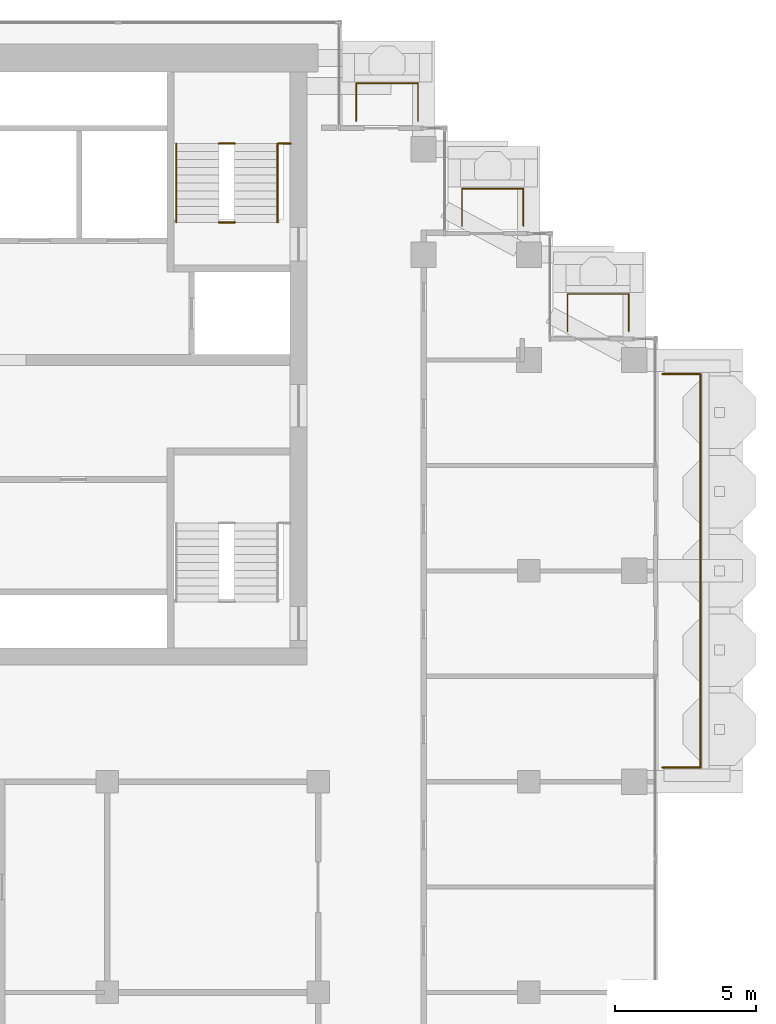
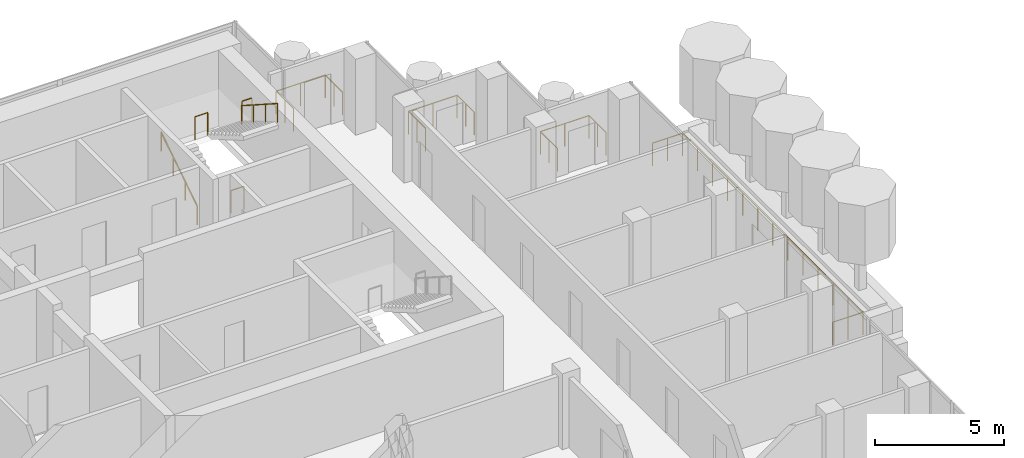
# One storey, part 18 of 19: 9 railings.
"""IFC4 building model written with IfcOpenShell, lengths in metres."""

import ifcopenshell
import ifcopenshell.guid

model = None  # the IFC model being written
_history = None  # IfcOwnerHistory: only IFC2X3 demands one
_inside = {}  # id of a spatial element -> (the spatial element, [elements in it])
_under = {}  # id of a project, library or spatial element -> (it, [spatial elements below it])
_declared = {}  # id of a project -> (the project, [libraries it declares])
_typed = {}  # id of a type object -> (the type object, [elements of that type])
_made_of = {}  # id of a material, layer set ... -> (it, [elements and type objects made of it])


def new_model(schema):
    """Start an empty IFC model of exactly this schema.

    Asked for "IFC4X3", IfcOpenShell would pick the latest addendum, in which some entities
    have other attributes; the version numbers below select the first issue.
    IFC2X3 requires an IfcOwnerHistory on every rooted entity: one is made here for all.
    """
    global model, _history
    if schema == "IFC4X3":
        model = ifcopenshell.file(schema_version=(4, 3, 0, 0))
    else:
        model = ifcopenshell.file(schema=schema)
    _inside.clear()
    _under.clear()
    _declared.clear()
    _typed.clear()
    _made_of.clear()
    _history = None
    if model.schema == "IFC2X3":
        org = make("IfcOrganization", Name="unknown")
        user = make(
            "IfcPersonAndOrganization",
            ThePerson=make("IfcPerson", FamilyName="unknown"),
            TheOrganization=org,
        )
        app = make(
            "IfcApplication",
            ApplicationDeveloper=org,
            Version="unknown",
            ApplicationFullName="unknown",
            ApplicationIdentifier="unknown",
        )
        _history = make(
            "IfcOwnerHistory",
            OwningUser=user,
            OwningApplication=app,
            ChangeAction="ADDED",
            CreationDate=0,
        )
    return model


def make(cls, **values):
    """One entity of the class cls with the attributes given. An attribute that is None is left unset."""
    return model.create_entity(
        cls, **{name: value for name, value in values.items() if value is not None}
    )


def rooted(cls, **values):
    """An entity with a GlobalId (a new one), such as an element, a storey or a relation."""
    return make(cls, GlobalId=ifcopenshell.guid.new(), OwnerHistory=_history, **values)


def si_unit(unit_type, name, prefix=None):
    """IfcSIUnit, for example si_unit("LENGTHUNIT", "METRE", prefix="MILLI")."""
    return make("IfcSIUnit", UnitType=unit_type, Prefix=prefix, Name=name)


def assignment(units):
    """IfcUnitAssignment: the units of a project."""
    return None if units is None else make("IfcUnitAssignment", Units=units)


def point(xyz):
    """IfcCartesianPoint."""
    return None if xyz is None else make("IfcCartesianPoint", Coordinates=xyz)


def direction(xyz):
    """IfcDirection."""
    return None if xyz is None else make("IfcDirection", DirectionRatios=xyz)


def frame(location, z_axis=None, x_axis=None):
    """IfcAxis2Placement3D, a coordinate frame: its origin and axes. An axis left out is left unset."""
    return make(
        "IfcAxis2Placement3D",
        Location=point(location),
        Axis=direction(z_axis),
        RefDirection=direction(x_axis),
    )


def frame_2d(location, x_axis=None):
    """IfcAxis2Placement2D, a coordinate frame in the plane: its origin and x axis."""
    return make(
        "IfcAxis2Placement2D", Location=point(location), RefDirection=direction(x_axis)
    )


def origin():
    """The frame at (0, 0, 0) with its axes left unset."""
    return frame((0.0, 0.0, 0.0))


def origin_2d():
    """The frame at (0, 0) in the plane with its x axis left unset."""
    return frame_2d((0.0, 0.0))


def place(relative_to, where):
    """IfcLocalPlacement: puts the frame where relative to a parent placement (None: the world)."""
    return make(
        "IfcLocalPlacement", PlacementRelTo=relative_to, RelativePlacement=where
    )


def context(
    kind, dimensions, precision=None, world=None, true_north=None, identifier=None
):
    """IfcGeometricRepresentationContext, for example the 3D "Model" context."""
    return make(
        "IfcGeometricRepresentationContext",
        ContextIdentifier=identifier,
        ContextType=kind,
        CoordinateSpaceDimension=dimensions,
        Precision=precision,
        WorldCoordinateSystem=world,
        TrueNorth=true_north,
    )


def subcontext(parent, identifier, kind, view, scale=None):
    """IfcGeometricRepresentationSubContext, for example "Body" below "Model"."""
    return make(
        "IfcGeometricRepresentationSubContext",
        ContextIdentifier=identifier,
        ContextType=kind,
        ParentContext=parent,
        TargetScale=scale,
        TargetView=view,
    )


def project(units=None, contexts=None):
    """IfcProject with its units and contexts."""
    return rooted(
        "IfcProject",
        Name="project",
        RepresentationContexts=contexts,
        UnitsInContext=assignment(units),
    )


def spatial(cls, under=None, at=None, **own):
    """A site, building, storey or space (cls), placed at a placement, below another one or the project."""
    s = rooted(cls, ObjectPlacement=at, **own)
    if under is not None:
        _under.setdefault(under.id(), (under, []))[1].append(s)
    return s


def profile(cls, at=None, kind="AREA", **sizes):
    """A parametric profile (cls). Its sizes go by their IFC names, for example OverallWidth=200.0."""
    return make(cls, ProfileType=kind, Position=at, **sizes)


def circle(**sizes):
    """IfcCircleProfileDef."""
    return profile("IfcCircleProfileDef", **sizes)


def extrude(swept, where, along, depth):
    """IfcExtrudedAreaSolid: the profile swept, set in the frame where, extruded along a direction by depth."""
    return make(
        "IfcExtrudedAreaSolid",
        SweptArea=swept,
        Position=where,
        ExtrudedDirection=direction(along),
        Depth=depth,
    )


def shape(context_of_items, identifier, shape_type, items):
    """IfcShapeRepresentation: the items that make up one representation, for example the "Body"."""
    return make(
        "IfcShapeRepresentation",
        ContextOfItems=context_of_items,
        RepresentationIdentifier=identifier,
        RepresentationType=shape_type,
        Items=items,
    )


def material(Name=None, Category=None):
    """IfcMaterial."""
    return make("IfcMaterial", Name=Name, Category=Category)


def made_of(thing, what):
    """Note that an element or type object is made of a material, layer set ...; save() writes the relation."""
    if what is not None:
        _made_of.setdefault(what.id(), (what, []))[1].append(thing)
    return thing


def type_object(cls, material=None, **own):
    """A type object (cls), such as IfcWallType, which elements share."""
    return made_of(rooted(cls, **own), material)


def element(
    cls,
    number,
    at=None,
    inside=None,
    cuts=None,
    type_object=None,
    material=None,
    context=None,
    identifier="Body",
    shape_type=None,
    held_by="IfcProductDefinitionShape",
    body=None,
    shapes=None,
    **own,
):
    """One element of the class cls, such as IfcWall. Its Tag is "e" and its number.

    at: its placement. inside: the storey or other place that contains it. cuts: it is an
    opening in that element (IfcRelVoidsElement). A single representation is given by context,
    identifier, shape_type and body (its items); several are given by shapes. held_by: the class
    of the entity that holds the representations. save() writes the other relations.
    """
    e = rooted(cls, Tag="e%d" % number, ObjectPlacement=at, **own)
    if body is not None:
        shapes = [shape(context, identifier, shape_type, body)]
    if shapes is not None:
        e.Representation = make(held_by, Representations=shapes)
    if inside is not None:
        _inside.setdefault(inside.id(), (inside, []))[1].append(e)
    if cuts is not None:
        rooted(
            "IfcRelVoidsElement", RelatingBuildingElement=cuts, RelatedOpeningElement=e
        )
    if type_object is not None:
        _typed.setdefault(type_object.id(), (type_object, []))[1].append(e)
    return made_of(e, material)


def aggregate(whole, parts):
    """IfcRelAggregates: a whole, such as a stair, and the parts it consists of."""
    return rooted("IfcRelAggregates", RelatingObject=whole, RelatedObjects=parts)


def save(model, path):
    """Write the relations noted so far, then the file.

    IfcRelAggregates (storeys below a building ...), IfcRelContainedInSpatialStructure (elements
    in a storey), IfcRelDefinesByType, IfcRelAssociatesMaterial and IfcRelDeclares: one each for
    every whole, place, type object, material and project.
    """
    for whole, parts in _under.values():
        aggregate(whole, parts)
    for where, things in _inside.values():
        rooted(
            "IfcRelContainedInSpatialStructure",
            RelatedElements=things,
            RelatingStructure=where,
        )
    for kind, things in _typed.values():
        rooted("IfcRelDefinesByType", RelatedObjects=things, RelatingType=kind)
    for what, things in _made_of.values():
        rooted("IfcRelAssociatesMaterial", RelatedObjects=things, RelatingMaterial=what)
    for by, libraries in _declared.values():
        rooted("IfcRelDeclares", RelatingContext=by, RelatedDefinitions=libraries)
    model.write(path)


model = new_model("IFC4")

# Units and contexts
model_context = context("Model", 3, precision=1e-05, world=origin(), true_north=direction((0.0, 1.0)))
body_context = subcontext(model_context, "Body", "Model", "MODEL_VIEW")
ifc_project = project(units=[si_unit("LENGTHUNIT", "METRE"), si_unit("AREAUNIT", "SQUARE_METRE"), si_unit("VOLUMEUNIT", "CUBIC_METRE"), si_unit("PLANEANGLEUNIT", "RADIAN"), si_unit("MASSUNIT", "GRAM", prefix="KILO")], contexts=[model_context])

# Site, building, storey
site_placement = place(None, origin())
site = spatial("IfcSite", under=ifc_project, at=site_placement, CompositionType="ELEMENT")
building_placement = place(site_placement, origin())
building = spatial("IfcBuilding", under=site, at=building_placement, Name="Pilkhan Gate Tower", CompositionType="ELEMENT")
storey_placement = place(building_placement, frame((0.0, 0.0, 246.300048828125)))
storey = spatial("IfcBuildingStorey", under=building, at=storey_placement, Name="L64", CompositionType="ELEMENT", Elevation=246.300048828125)

# Railings
ifc_material_1 = material(Name="Pale anodised aluminium posts, laminated glass infill", Category="aluminium")
railing_type_1 = type_object("IfcRailingType", Name="Balcony guard G1", PredefinedType="BALUSTRADE", material=ifc_material_1)
railing_1_placement = place(storey_placement, frame((102.25, 68.0, 0.0)))
element("IfcRailing", 1, at=railing_1_placement, inside=storey, type_object=railing_type_1, Name="Balcony guard L64 E", PredefinedType="BALUSTRADE", context=body_context, shape_type="SweptSolid", body=[
    extrude(circle(Radius=0.02392578125, at=origin_2d()), frame((0.0, 0.0, 1.076171875), z_axis=(1.0, 0.0, 0.0), x_axis=(0.0, 1.0, 0.0)), (0.0, 0.0, 1.0), 1.35009765625),
    extrude(circle(Radius=0.02392578125, at=origin_2d()), frame((1.35009765625, 0.0, 1.076171875), z_axis=(0.0, 1.0, 0.0), x_axis=(-1.0, 0.0, 0.0)), (0.0, 0.0, 1.0), 14.0),
    extrude(circle(Radius=0.02392578125, at=origin_2d()), frame((1.35009765625, 14.0, 1.076171875), z_axis=(-1.0, 0.0, 0.0), x_axis=(0.0, -1.0, 0.0)), (0.0, 0.0, 1.0), 1.35009765625),
    extrude(circle(Radius=0.02099609375, at=origin_2d()), origin(), (0.0, 0.0, 1.0), 1.052001953125),
    extrude(circle(Radius=0.02099609375, at=origin_2d()), frame((0.675048828125, 0.0, 0.0)), (0.0, 0.0, 1.0), 1.052001953125),
    extrude(circle(Radius=0.02099609375, at=origin_2d()), frame((1.35009765625, 0.0, 0.0)), (0.0, 0.0, 1.0), 1.052001953125),
    extrude(circle(Radius=0.02099609375, at=origin_2d()), frame((1.35009765625, 1.166748046875, 0.0)), (0.0, 0.0, 1.0), 1.052001953125),
    extrude(circle(Radius=0.02099609375, at=origin_2d()), frame((1.35009765625, 2.333251953125, 0.0)), (0.0, 0.0, 1.0), 1.052001953125),
    extrude(circle(Radius=0.02099609375, at=origin_2d()), frame((1.35009765625, 3.5, 0.0)), (0.0, 0.0, 1.0), 1.052001953125),
    extrude(circle(Radius=0.02099609375, at=origin_2d()), frame((1.35009765625, 4.666748046875, 0.0)), (0.0, 0.0, 1.0), 1.052001953125),
    extrude(circle(Radius=0.02099609375, at=origin_2d()), frame((1.35009765625, 5.833251953125, 0.0)), (0.0, 0.0, 1.0), 1.052001953125),
    extrude(circle(Radius=0.02099609375, at=origin_2d()), frame((1.35009765625, 7.0, 0.0)), (0.0, 0.0, 1.0), 1.052001953125),
    extrude(circle(Radius=0.02099609375, at=origin_2d()), frame((1.35009765625, 8.166748046875, 0.0)), (0.0, 0.0, 1.0), 1.052001953125),
    extrude(circle(Radius=0.02099609375, at=origin_2d()), frame((1.35009765625, 9.333251953125, 0.0)), (0.0, 0.0, 1.0), 1.052001953125),
    extrude(circle(Radius=0.02099609375, at=origin_2d()), frame((1.35009765625, 10.5, 0.0)), (0.0, 0.0, 1.0), 1.052001953125),
    extrude(circle(Radius=0.02099609375, at=origin_2d()), frame((1.35009765625, 11.666748046875, 0.0)), (0.0, 0.0, 1.0), 1.052001953125),
    extrude(circle(Radius=0.02099609375, at=origin_2d()), frame((1.35009765625, 12.833251953125, 0.0)), (0.0, 0.0, 1.0), 1.052001953125),
    extrude(circle(Radius=0.02099609375, at=origin_2d()), frame((1.35009765625, 14.0, 0.0)), (0.0, 0.0, 1.0), 1.052001953125),
    extrude(circle(Radius=0.02099609375, at=origin_2d()), frame((0.675048828125, 14.0, 0.0)), (0.0, 0.0, 1.0), 1.052001953125),
    extrude(circle(Radius=0.02099609375, at=origin_2d()), frame((0.0, 14.0, 0.0)), (0.0, 0.0, 1.0), 1.052001953125),
])
railing_2_placement = place(storey_placement, frame((91.35009765625, 91.0, 0.0)))
element("IfcRailing", 2, at=railing_2_placement, inside=storey, type_object=railing_type_1, Name="Balcony guard L64 N", PredefinedType="BALUSTRADE", context=body_context, shape_type="SweptSolid", body=[
    extrude(circle(Radius=0.02392578125, at=origin_2d()), frame((0.0, 0.0, 1.076171875), z_axis=(0.0, 1.0, 0.0), x_axis=(-1.0, 0.0, 0.0)), (0.0, 0.0, 1.0), 1.35009765625),
    extrude(circle(Radius=0.02392578125, at=origin_2d()), frame((0.0, 1.35009765625, 1.076171875), z_axis=(1.0, 0.0, 0.0), x_axis=(0.0, 1.0, 0.0)), (0.0, 0.0, 1.0), 2.199951171875),
    extrude(circle(Radius=0.02392578125, at=origin_2d()), frame((2.199951171875, 1.35009765625, 1.076171875), z_axis=(0.0, -1.0, 0.0), x_axis=(1.0, 0.0, 0.0)), (0.0, 0.0, 1.0), 1.35009765625),
    extrude(circle(Radius=0.02099609375, at=origin_2d()), origin(), (0.0, 0.0, 1.0), 1.052001953125),
    extrude(circle(Radius=0.02099609375, at=origin_2d()), frame((0.0, 0.675048828125, 0.0)), (0.0, 0.0, 1.0), 1.052001953125),
    extrude(circle(Radius=0.02099609375, at=origin_2d()), frame((0.0, 1.35009765625, 0.0)), (0.0, 0.0, 1.0), 1.052001953125),
    extrude(circle(Radius=0.02099609375, at=origin_2d()), frame((1.10009765625, 1.35009765625, 0.0)), (0.0, 0.0, 1.0), 1.052001953125),
    extrude(circle(Radius=0.02099609375, at=origin_2d()), frame((2.199951171875, 1.35009765625, 0.0)), (0.0, 0.0, 1.0), 1.052001953125),
    extrude(circle(Radius=0.02099609375, at=origin_2d()), frame((2.199951171875, 0.675048828125, 0.0)), (0.0, 0.0, 1.0), 1.052001953125),
    extrude(circle(Radius=0.02099609375, at=origin_2d()), frame((2.199951171875, 0.0, 0.0)), (0.0, 0.0, 1.0), 1.052001953125),
])
for number, where, name in (
    (3, (95.1201171875, 87.27001953125, 0.0), "Balcony guard L64 N"),
    (4, (98.8701171875, 83.52001953125, 0.0), "Balcony guard L64 N"),
):
    element("IfcRailing", number, at=place(storey_placement, frame(where)), inside=storey, type_object=railing_type_1, Name=name, PredefinedType="BALUSTRADE", context=body_context, shape_type="SweptSolid", body=[
        extrude(circle(Radius=0.02392578125, at=origin_2d()), frame((0.0, 0.0, 1.076171875), z_axis=(0.0, 1.0, 0.0), x_axis=(-1.0, 0.0, 0.0)), (0.0, 0.0, 1.0), 1.330078125),
        extrude(circle(Radius=0.02392578125, at=origin_2d()), frame((0.0, 1.330078125, 1.076171875), z_axis=(1.0, 0.0, 0.0), x_axis=(0.0, 1.0, 0.0)), (0.0, 0.0, 1.0), 2.179931640625),
        extrude(circle(Radius=0.02392578125, at=origin_2d()), frame((2.179931640625, 1.330078125, 1.076171875), z_axis=(0.0, -1.0, 0.0), x_axis=(1.0, 0.0, 0.0)), (0.0, 0.0, 1.0), 1.330078125),
        extrude(circle(Radius=0.02099609375, at=origin_2d()), origin(), (0.0, 0.0, 1.0), 1.052001953125),
        extrude(circle(Radius=0.02099609375, at=origin_2d()), frame((0.0, 0.6650390625, 0.0)), (0.0, 0.0, 1.0), 1.052001953125),
        extrude(circle(Radius=0.02099609375, at=origin_2d()), frame((0.0, 1.330078125, 0.0)), (0.0, 0.0, 1.0), 1.052001953125),
        extrude(circle(Radius=0.02099609375, at=origin_2d()), frame((1.08984375, 1.330078125, 0.0)), (0.0, 0.0, 1.0), 1.052001953125),
        extrude(circle(Radius=0.02099609375, at=origin_2d()), frame((2.179931640625, 1.330078125, 0.0)), (0.0, 0.0, 1.0), 1.052001953125),
        extrude(circle(Radius=0.02099609375, at=origin_2d()), frame((2.179931640625, 0.6650390625, 0.0)), (0.0, 0.0, 1.0), 1.052001953125),
        extrude(circle(Radius=0.02099609375, at=origin_2d()), frame((2.179931640625, 0.0, 0.0)), (0.0, 0.0, 1.0), 1.052001953125),
    ])
ifc_material_2 = material(Name="Black powder-coated steel tube", Category="steel")
railing_type_2 = type_object("IfcRailingType", Name="Stair handrail HR1", PredefinedType="HANDRAIL", material=ifc_material_2)
railing_3_placement = place(storey_placement, frame((84.949951171875, 87.39990234375, 0.0)))
element("IfcRailing", 5, at=railing_3_placement, inside=storey, type_object=railing_type_2, Name="Stair ST4 handrail L64", PredefinedType="HANDRAIL", context=body_context, shape_type="SweptSolid", body=[
    extrude(circle(Radius=0.02392578125, at=origin_2d()), frame((0.0, 0.0, 0.8759765625), z_axis=(0.0, 0.841176092368, 0.540761298198), x_axis=(-1.0, 0.0, 0.0)), (0.0, 0.0, 1.0), 3.32861328125),
    extrude(circle(Radius=0.02099609375, at=origin_2d()), origin(), (0.0, 0.0, 1.0), 0.851806640625),
    extrude(circle(Radius=0.02099609375, at=origin_2d()), frame((0.0, 0.933349609375, 0.60009765625)), (0.0, 0.0, 1.0), 0.851806640625),
    extrude(circle(Radius=0.02099609375, at=origin_2d()), frame((0.0, 1.86669921875, 1.199951171875)), (0.0, 0.0, 1.0), 0.851806640625),
    extrude(circle(Radius=0.02099609375, at=origin_2d()), frame((0.0, 2.800048828125, 1.800048828125)), (0.0, 0.0, 1.0), 0.851806640625),
])
railing_4_placement = place(storey_placement, frame((88.550048828125, 90.199951171875, 1.800048828125)))
element("IfcRailing", 6, at=railing_4_placement, inside=storey, type_object=railing_type_2, Name="Stair ST4 handrail L64", PredefinedType="HANDRAIL", context=body_context, shape_type="SweptSolid", body=[
    extrude(circle(Radius=0.02392578125, at=origin_2d()), frame((0.0, 0.0, 0.8759765625), z_axis=(0.0, -0.841209454229, 0.540709398952), x_axis=(1.0, 0.0, 0.0)), (0.0, 0.0, 1.0), 3.32861328125),
    extrude(circle(Radius=0.02099609375, at=origin_2d()), origin(), (0.0, 0.0, 1.0), 0.851806640625),
    extrude(circle(Radius=0.02099609375, at=origin_2d()), frame((0.0, -0.933349609375, 0.599853515625)), (0.0, 0.0, 1.0), 0.851806640625),
    extrude(circle(Radius=0.02099609375, at=origin_2d()), frame((0.0, -1.86669921875, 1.199951171875)), (0.0, 0.0, 1.0), 0.851806640625),
    extrude(circle(Radius=0.02099609375, at=origin_2d()), frame((0.0, -2.800048828125, 1.7998046875)), (0.0, 0.0, 1.0), 0.851806640625),
])
ifc_material_3 = material(Name="Black powder-coated steel balusters", Category="steel")
railing_type_3 = type_object("IfcRailingType", Name="Stair well guard G3", PredefinedType="GUARDRAIL", material=ifc_material_3)
railing_5_placement = place(storey_placement, frame((88.580078125, 90.199951171875, 1.800048828125)))
element("IfcRailing", 7, at=railing_5_placement, inside=storey, type_object=railing_type_3, Name="Stair ST4 well guard L64", PredefinedType="GUARDRAIL", context=body_context, shape_type="SweptSolid", body=[
    extrude(circle(Radius=0.02392578125, at=origin_2d()), frame((0.0, 0.0, 1.076171875), z_axis=(1.0, 0.0, 0.0), x_axis=(0.0, 1.0, 0.0)), (0.0, 0.0, 1.0), 0.43994140625),
    extrude(circle(Radius=0.02099609375, at=origin_2d()), origin(), (0.0, 0.0, 1.0), 1.052001953125),
    extrude(circle(Radius=0.02099609375, at=origin_2d()), frame((0.43994140625, 0.0, 0.0)), (0.0, 0.0, 1.0), 1.052001953125),
])
for number, where, name in (
    (8, (86.4599609375, 87.39990234375, 0.0), "Stair ST4 well guard L64"),
    (9, (86.4599609375, 90.199951171875, 1.800048828125), "Stair ST4 well guard L64"),
):
    element("IfcRailing", number, at=place(storey_placement, frame(where)), inside=storey, type_object=railing_type_3, Name=name, PredefinedType="GUARDRAIL", context=body_context, shape_type="SweptSolid", body=[
        extrude(circle(Radius=0.02392578125, at=origin_2d()), frame((0.0, 0.0, 1.076171875), z_axis=(1.0, 0.0, 0.0), x_axis=(0.0, 1.0, 0.0)), (0.0, 0.0, 1.0), 0.580078125),
        extrude(circle(Radius=0.02099609375, at=origin_2d()), origin(), (0.0, 0.0, 1.0), 1.052001953125),
        extrude(circle(Radius=0.02099609375, at=origin_2d()), frame((0.580078125, 0.0, 0.0)), (0.0, 0.0, 1.0), 1.052001953125),
    ])

save(model, "model.ifc")
